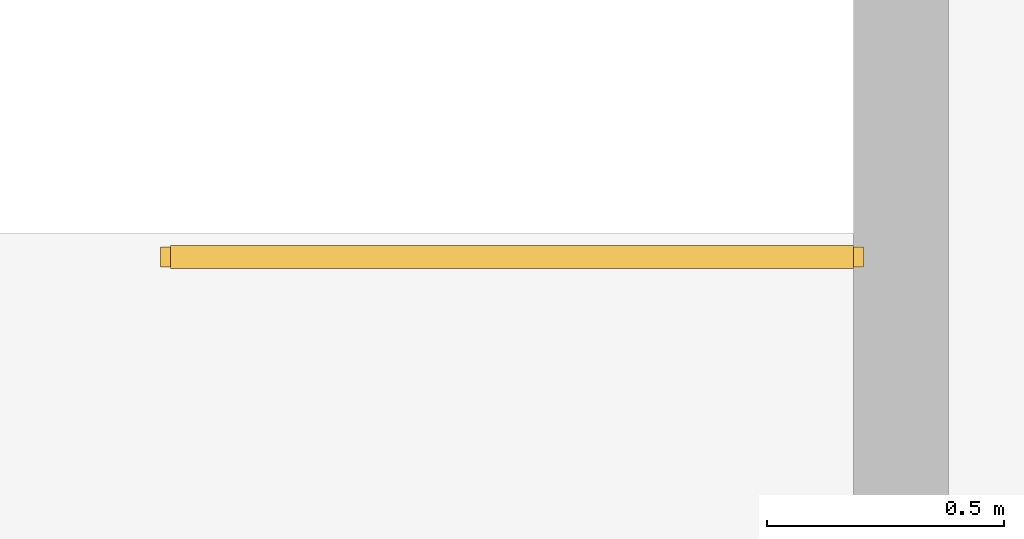
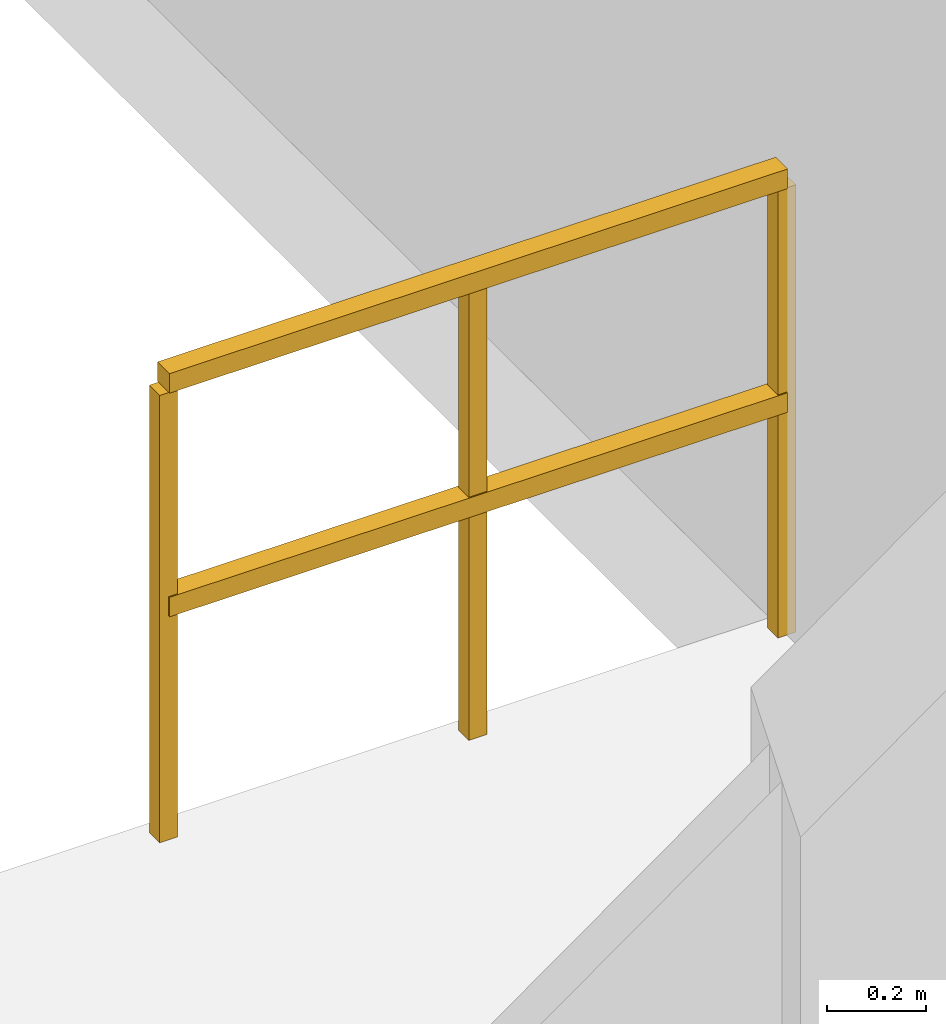
# One storey, part 19 of 19: 1 railing.
"""IFC4 building model written with IfcOpenShell, lengths in metres."""

from ifc_helpers import new_model, si_unit, derived_unit, direction, frame, origin, origin_2d, place, context, subcontext, project, spatial, rectangle, extrude, material, type_object, element, save


model = new_model("IFC4")

# Units and contexts
model_context = context("Model", 3, precision=1e-05, world=origin(), true_north=direction((0.0, 1.0)))
body_context = subcontext(model_context, "Body", "Model", "MODEL_VIEW")
ifc_project = project(units=[si_unit("LENGTHUNIT", "METRE"), si_unit("AREAUNIT", "SQUARE_METRE"), si_unit("VOLUMEUNIT", "CUBIC_METRE"), si_unit("PLANEANGLEUNIT", "RADIAN"), si_unit("MASSUNIT", "GRAM", prefix="KILO"), si_unit("THERMODYNAMICTEMPERATUREUNIT", "KELVIN"), si_unit("POWERUNIT", "WATT"), derived_unit("THERMALTRANSMITTANCEUNIT", [(si_unit("POWERUNIT", "WATT"), 1), (si_unit("AREAUNIT", "SQUARE_METRE"), -1), (si_unit("THERMODYNAMICTEMPERATUREUNIT", "KELVIN"), -1)])], contexts=[model_context])

# Site, building, storey
site_placement = place(None, origin())
site = spatial("IfcSite", under=ifc_project, at=site_placement, CompositionType="ELEMENT")
building_placement = place(site_placement, origin())
building = spatial("IfcBuilding", under=site, at=building_placement, Name="Zahravan Archway Hotel and Residences", CompositionType="ELEMENT")
storey_placement = place(building_placement, frame((0.0, 0.0, 21.60009765625)))
storey = spatial("IfcBuildingStorey", under=building, at=storey_placement, Name="L04", CompositionType="ELEMENT", Elevation=21.60009765625)

# Railing
ifc_material = material(Name="Painted Tubular Steel", Category="steel")
railing_type = type_object("IfcRailingType", Name="RL-STG-1150", PredefinedType="GUARDRAIL", material=ifc_material)
railing_placement = place(storey_placement, frame((75.39990234375, 40.719970703125, 0.0)))
element("IfcRailing", 1, at=railing_placement, inside=storey, type_object=railing_type, Name="L04 ST-P1 top well guard 1", PredefinedType="GUARDRAIL", context=body_context, shape_type="SweptSolid", body=[
    extrude(rectangle(XDim=0.048095703125, YDim=0.048095703125, at=origin_2d()), frame((0.0, 0.0, 1.1259765625), z_axis=(-1.0, 0.0, 0.0), x_axis=(0.0, -1.0, 0.0)), (0.0, 0.0, 1.0), 1.43994140625),
    extrude(rectangle(XDim=0.048095703125, YDim=0.048095703125, at=origin_2d()), frame((0.0, 0.0, 0.574951171875), z_axis=(-1.0, 0.0, 0.0), x_axis=(0.0, -1.0, 0.0)), (0.0, 0.0, 1.0), 1.43994140625),
    extrude(rectangle(XDim=0.0419921875, YDim=0.0419921875, at=origin_2d()), origin(), (0.0, 0.0, 1.0), 1.101806640625),
    extrude(rectangle(XDim=0.0419921875, YDim=0.0419921875, at=origin_2d()), frame((-0.719970703125, 0.0, 0.0)), (0.0, 0.0, 1.0), 1.101806640625),
    extrude(rectangle(XDim=0.0419921875, YDim=0.0419921875, at=origin_2d()), frame((-1.43994140625, 0.0, 0.0)), (0.0, 0.0, 1.0), 1.101806640625),
])

save(model, "model.ifc")
